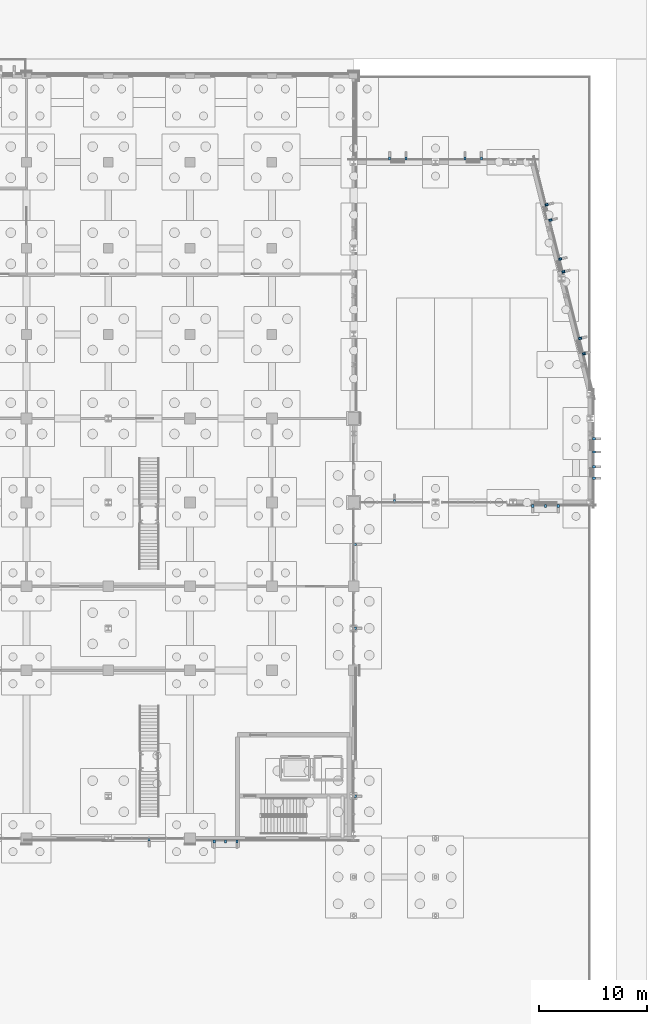
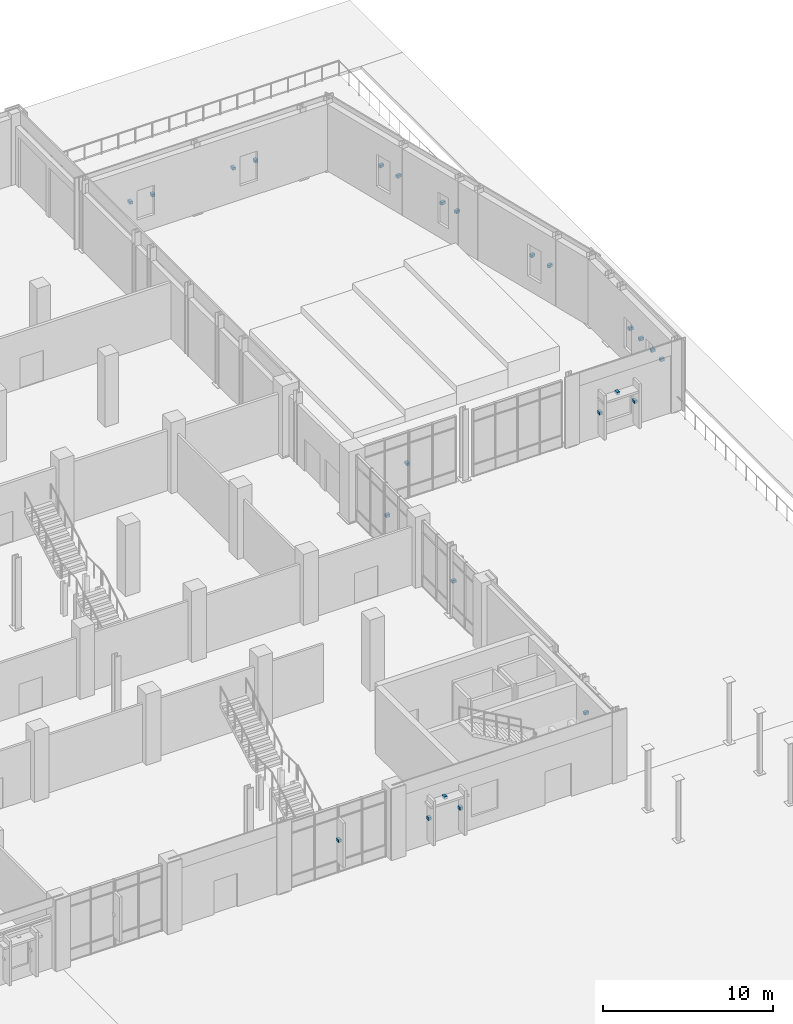
# One storey, part 77 of 94: 25 discrete accessories.
"""IFC4 building model written with IfcOpenShell, lengths in metres."""

from ifc_helpers import new_model, si_unit, direction, frame, origin, origin_2d, place, context, subcontext, project, spatial, rectangle, extrude, material, type_object, element, save


model = new_model("IFC4")

# Units and contexts
model_context = context("Model", 3, precision=1e-05, world=origin(), true_north=direction((0.0, 1.0)))
body_context = subcontext(model_context, "Body", "Model", "MODEL_VIEW")
ifc_project = project(units=[si_unit("LENGTHUNIT", "METRE"), si_unit("AREAUNIT", "SQUARE_METRE"), si_unit("VOLUMEUNIT", "CUBIC_METRE"), si_unit("PLANEANGLEUNIT", "RADIAN"), si_unit("MASSUNIT", "GRAM", prefix="KILO")], contexts=[model_context])

# Site, building, storey
site_placement = place(None, origin())
site = spatial("IfcSite", under=ifc_project, at=site_placement, CompositionType="ELEMENT")
building_placement = place(site_placement, origin())
building = spatial("IfcBuilding", under=site, at=building_placement, Name="Vervanel Yard Central Library", CompositionType="ELEMENT")
storey_placement = place(building_placement, origin())
storey = spatial("IfcBuildingStorey", under=building, at=storey_placement, Name="L00", CompositionType="ELEMENT", Elevation=0.0)

# Discrete accessories
ifc_material = material(Name="Steel ASTM A572 Grade 50", Category="steel")
discrete_accessory_type = type_object("IfcDiscreteAccessoryType", Name="Stainless Solar Fin Fixing Bracket", PredefinedType="BRACKET", material=ifc_material)
for number, where, z_axis, x_axis, name in (
    (1, (127.0, 43.070068359375, 2.2900390625), (0.0, 0.0, 1.0), (1.0, 0.0, 0.0), "L00 Solar Fin Bracket 446"),
    (2, (133.0400390625, 42.909912109375, 1.85009765625), (0.0, 0.0, 1.0), (1.0, 0.0, 0.0), "L00 Solar Fin Bracket 447"),
    (3, (135.159912109375, 42.909912109375, 1.85009765625), (0.0, 0.0, 1.0), (1.0, 0.0, 0.0), "L00 Solar Fin Bracket 448"),
    (4, (134.10009765625, 42.909912109375, 3.0), (0.0, 0.0, 1.0), (1.0, 0.0, 0.0), "L00 Sunhood Bracket 99"),
    (5, (146.1298828125, 47.10009765625, 2.2900390625), (0.0, 0.0, 1.0), (0.0, 1.0, 0.0), "L00 Solar Fin Bracket 484"),
    (6, (146.1298828125, 62.699951171875, 2.2900390625), (0.0, 0.0, 1.0), (0.0, 1.0, 0.0), "L00 Solar Fin Bracket 485"),
    (7, (146.1298828125, 70.5, 2.2900390625), (0.0, 0.0, 1.0), (0.0, 1.0, 0.0), "L00 Solar Fin Bracket 486"),
    (8, (149.800048828125, 74.530029296875, 2.2900390625), (0.0, 0.0, 1.0), (1.0, 0.0, 0.0), "L00 Solar Fin Bracket 499"),
    (9, (162.639892578125, 74.070068359375, 1.72509765625), (0.0, 0.0, 1.0), (1.0, 0.0, 0.0), "L00 Solar Fin Bracket 500"),
    (10, (165.010009765625, 74.070068359375, 1.72509765625), (0.0, 0.0, 1.0), (1.0, 0.0, 0.0), "L00 Solar Fin Bracket 501"),
    (11, (163.824951171875, 74.070068359375, 2.75), (0.0, 0.0, 1.0), (1.0, 0.0, 0.0), "L00 Sunhood Bracket 100"),
    (12, (168.330078125, 76.639892578125, 2.0), (0.0, 0.0, 1.0), (0.0, 1.0, 0.0), "L00 Solar Fin Bracket 502"),
    (13, (168.330078125, 77.7099609375, 2.0), (0.0, 0.0, 1.0), (0.0, 1.0, 0.0), "L00 Solar Fin Bracket 503"),
    (14, (168.330078125, 79.090087890625, 2.0), (0.0, 0.0, 1.0), (0.0, 1.0, 0.0), "L00 Solar Fin Bracket 504"),
    (15, (168.330078125, 80.31005859375, 2.0), (0.0, 0.0, 1.0), (0.0, 1.0, 0.0), "L00 Solar Fin Bracket 505"),
    (16, (167.388916015625, 88.205322265625, 2.0498046875), (0.0, 0.0, 1.0), (-0.242534889029, 0.970142684147, 0.0), "L00 Solar Fin Bracket 506"),
    (17, (167.0322265625, 89.631591796875, 2.0498046875), (0.0, 0.0, 1.0), (-0.242534889029, 0.970142684147, 0.0), "L00 Solar Fin Bracket 507"),
    (18, (165.48486328125, 95.821044921875, 2.0), (0.0, 0.0, 1.0), (-0.242534889029, 0.970142684147, 0.0), "L00 Solar Fin Bracket 508"),
    (19, (165.18896484375, 97.004638671875, 2.0), (0.0, 0.0, 1.0), (-0.242534889029, 0.970142684147, 0.0), "L00 Solar Fin Bracket 509"),
    (20, (164.2841796875, 100.623291015625, 2.0498046875), (0.0, 0.0, 1.0), (-0.242534889029, 0.970142684147, 0.0), "L00 Solar Fin Bracket 510"),
    (21, (163.927734375, 102.04931640625, 2.0498046875), (0.0, 0.0, 1.0), (-0.242534889029, 0.970142684147, 0.0), "L00 Solar Fin Bracket 511"),
    (22, (149.340087890625, 106.330078125, 1.9501953125), (0.0, 0.0, 1.0), (1.0, 0.0, 0.0), "L00 Solar Fin Bracket 512"),
    (23, (150.860107421875, 106.330078125, 1.9501953125), (0.0, 0.0, 1.0), (1.0, 0.0, 0.0), "L00 Solar Fin Bracket 513"),
    (24, (156.340087890625, 106.330078125, 1.9501953125), (0.0, 0.0, 1.0), (1.0, 0.0, 0.0), "L00 Solar Fin Bracket 514"),
    (25, (157.860107421875, 106.330078125, 1.9501953125), (0.0, 0.0, 1.0), (1.0, 0.0, 0.0), "L00 Solar Fin Bracket 515"),
):
    element("IfcDiscreteAccessory", number, at=place(storey_placement, frame(where, z_axis=z_axis, x_axis=x_axis)), inside=storey, type_object=discrete_accessory_type, Name=name, PredefinedType="BRACKET", context=body_context, shape_type="SweptSolid", body=[
        extrude(rectangle(XDim=0.199951171875, YDim=0.280029296875, at=origin_2d()), origin(), (0.0, 0.0, 1.0), 0.199951171875),
    ])

save(model, "model.ifc")
